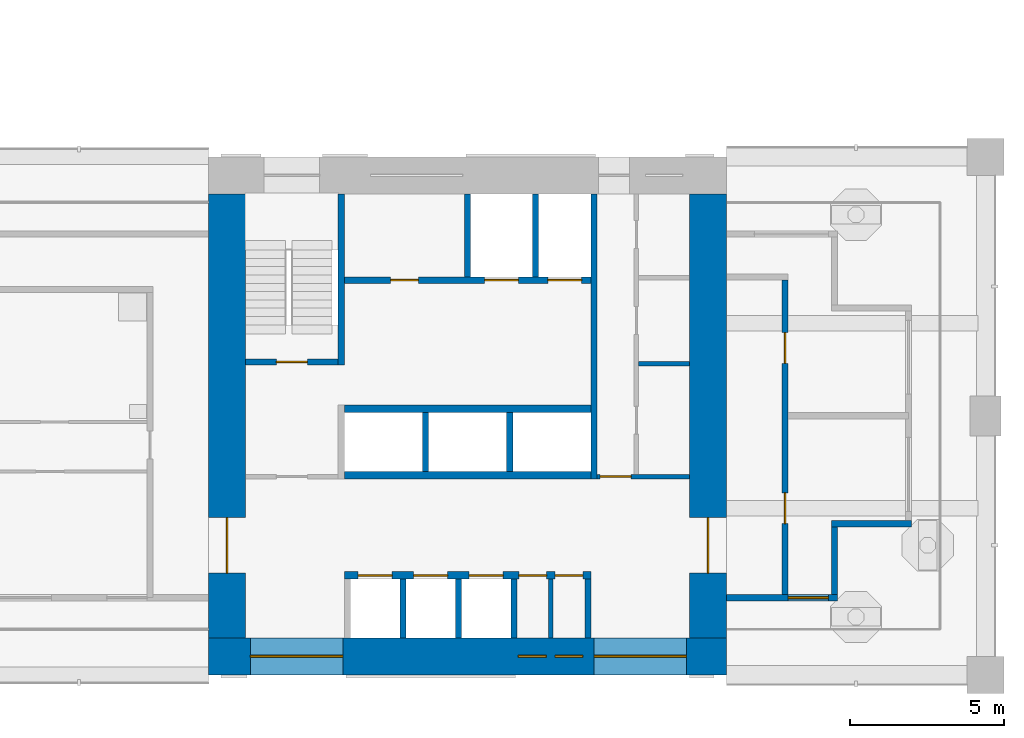
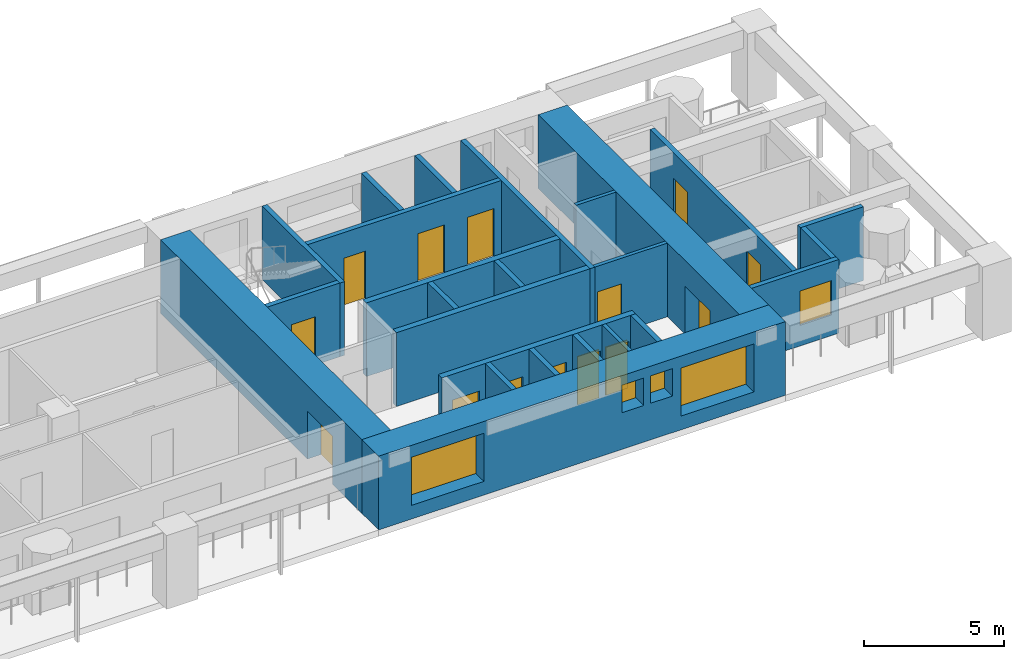
# One storey, part 5 of 18: 25 walls, 14 doors, 5 windows, 19 openings.
"""IFC4 building model written with IfcOpenShell, lengths in metres."""

from ifc_helpers import new_model, si_unit, direction, frame, frame_2d, origin, place, context, subcontext, project, spatial, rectangle, extrude, material, layer, layer_set, type_object, element, fill, save


model = new_model("IFC4")

# Units and contexts
model_context = context("Model", 3, precision=1e-05, world=origin(), true_north=direction((0.0, 1.0)))
body_context = subcontext(model_context, "Body", "Model", "MODEL_VIEW")
ifc_project = project(units=[si_unit("LENGTHUNIT", "METRE"), si_unit("AREAUNIT", "SQUARE_METRE"), si_unit("VOLUMEUNIT", "CUBIC_METRE"), si_unit("PLANEANGLEUNIT", "RADIAN"), si_unit("MASSUNIT", "GRAM", prefix="KILO")], contexts=[model_context])

# Site, building, storey
site_placement = place(None, origin())
site = spatial("IfcSite", under=ifc_project, at=site_placement, CompositionType="ELEMENT")
building_placement = place(site_placement, origin())
building = spatial("IfcBuilding", under=site, at=building_placement, Name="Vermilion Gate Residences", CompositionType="ELEMENT")
storey_placement = place(building_placement, frame((0.0, 0.0, 81.199951171875)))
storey = spatial("IfcBuildingStorey", under=building, at=storey_placement, Name="L19", CompositionType="ELEMENT", Elevation=81.199951171875)

# Wall
ifc_material_1 = material(Name="Masonry blockwork", Category="masonry")
ifc_layer_1 = layer(ifc_material_1, 0.14990234375)
ifc_layer_set_1 = layer_set([ifc_layer_1], Name="BLOCKWORK PARTITION 150 EI 120")
wall_type_1 = type_object("IfcWallType", Name="BLOCKWORK PARTITION 150 EI 120", PredefinedType="PARTITIONING", material=ifc_layer_set_1)
wall_1_placement = place(storey_placement, frame((53.10009765625, 9.60009765625, 0.0), z_axis=(0.0, 0.0, 1.0), x_axis=(0.0, 1.0, 0.0)))
element("IfcWall", 1, at=wall_1_placement, inside=storey, type_object=wall_type_1, Name="Core room partition A19-SR-P0", PredefinedType="PARTITIONING", context=body_context, shape_type="SweptSolid", body=[
    extrude(rectangle(XDim=1.89990234375, YDim=0.14990234375, at=frame_2d((0.949951171875, 0.0))), origin(), (0.0, 0.0, 1.0), 3.219970703125),
])

# Wall, opening, door
wall_2_placement = place(storey_placement, frame((54.60009765625, 14.824951171875, 0.0), z_axis=(0.0, 0.0, 1.0), x_axis=(1.0, 0.0, 0.0)))
wall_2 = element("IfcWall", 2, at=wall_2_placement, inside=storey, type_object=wall_type_1, Name="Core room partition A19-ES-S", PredefinedType="PARTITIONING", context=body_context, shape_type="SweptSolid", body=[
    extrude(rectangle(XDim=3.0, YDim=0.14990234375, at=frame_2d((1.5, 0.0))), origin(), (0.0, 0.0, 1.0), 3.219970703125),
])
opening_1_placement = place(wall_2_placement, frame((0.10009765625, 0.0, 0.0)))
opening_1 = element("IfcOpeningElement", 3, at=opening_1_placement, cuts=wall_2, Name="Opening DK19013", PredefinedType="OPENING", context=body_context, shape_type="SweptSolid", body=[
    extrude(rectangle(XDim=1.0, YDim=2.10009765625, at=frame_2d((0.5, 1.050048828125))), frame((0.0, 0.0849609375, 0.0), z_axis=(0.0, -1.0, 0.0), x_axis=(1.0, 0.0, 0.0)), (0.0, 0.0, 1.0), 0.169921875),
])
ifc_material_2 = material(Name="Steel", Category="steel")
door_type_1 = type_object("IfcDoorType", Name="FIRE DOOR FD60 1000 X 2100", OperationType="SINGLE_SWING_LEFT", PredefinedType="DOOR", material=ifc_material_2)
door_1_placement = place(opening_1_placement, frame((1.0, 0.0, 0.0), z_axis=(0.0, 0.0, 1.0), x_axis=(-1.0, 0.0, 0.0)))
door_1 = element("IfcDoor", 4, at=door_1_placement, inside=storey, type_object=door_type_1, Name="Service corridor door A19", OperationType="SINGLE_SWING_LEFT", OverallHeight=2.10009765625, OverallWidth=1.0, PredefinedType="DOOR", context=body_context, shape_type="SweptSolid", body=[
    extrude(rectangle(XDim=1.0, YDim=2.10009765625, at=frame_2d((0.5, 1.050048828125))), frame((0.0, 0.02490234375, 0.0), z_axis=(0.0, -1.0, 0.0), x_axis=(1.0, 0.0, 0.0)), (0.0, 0.0, 1.0), 0.050048828125),
])
fill(opening_1, door_1)

# Wall
wall_3_placement = place(storey_placement, frame((55.949951171875, 18.4951171875, 0.0), z_axis=(0.0, 0.0, 1.0), x_axis=(1.0, 0.0, 0.0)))
element("IfcWall", 5, at=wall_3_placement, inside=storey, type_object=wall_type_1, Name="Core room partition A19-ES-P0", PredefinedType="PARTITIONING", context=body_context, shape_type="SweptSolid", body=[
    extrude(rectangle(XDim=1.650146484375, YDim=0.14990234375, at=frame_2d((0.8251953125, 0.0))), origin(), (0.0, 0.0, 1.0), 3.219970703125),
])

# Wall, opening, window
ifc_material_3 = material(Name="Insulated steel stud wall with terracotta rainscreen", Category="masonry")
ifc_layer_2 = layer(ifc_material_3, 0.199951171875)
ifc_layer_set_2 = layer_set([ifc_layer_2], Name="EXTERNAL WALL 200 TERRACOTTA RAINSCREEN")
wall_type_2 = type_object("IfcWallType", Name="EXTERNAL WALL 200 TERRACOTTA RAINSCREEN", PredefinedType="SOLIDWALL", material=ifc_layer_set_2)
wall_4_placement = place(storey_placement, frame((58.800048828125, 10.89990234375, 0.0), z_axis=(0.0, 0.0, 1.0), x_axis=(1.0, 0.0, 0.0)))
wall_4 = element("IfcWall", 6, at=wall_4_placement, inside=storey, type_object=wall_type_2, Name="External wall", PredefinedType="SOLIDWALL", context=body_context, shape_type="SweptSolid", body=[
    extrude(rectangle(XDim=3.599853515625, YDim=0.199951171875, at=frame_2d((1.7998046875, 0.0))), origin(), (0.0, 0.0, 1.0), 3.219970703125),
])
opening_2_placement = place(wall_4_placement, frame((2.0, 0.0, 0.89990234375)))
opening_2 = element("IfcOpeningElement", 7, at=opening_2_placement, cuts=wall_4, Name="Opening WE19020", PredefinedType="OPENING", context=body_context, shape_type="SweptSolid", body=[
    extrude(rectangle(XDim=1.300048828125, YDim=1.5, at=frame_2d((0.64990234375, 0.75))), frame((0.0, 0.10986328125, 0.0), z_axis=(0.0, -1.0, 0.0), x_axis=(1.0, 0.0, 0.0)), (0.0, 0.0, 1.0), 0.219970703125),
])
ifc_material_4 = material(Name="Aluminium and clear glass", Category="aluminium")
window_type_1 = type_object("IfcWindowType", Name="WINDOW 1300 X 1500", PartitioningType="SINGLE_PANEL", PredefinedType="WINDOW", material=ifc_material_4)
window_1_placement = place(opening_2_placement, origin())
window_1 = element("IfcWindow", 8, at=window_1_placement, inside=storey, type_object=window_type_1, Name="Window", OverallHeight=1.5, OverallWidth=1.300048828125, PartitioningType="SINGLE_PANEL", PredefinedType="WINDOW", context=body_context, shape_type="SweptSolid", body=[
    extrude(rectangle(XDim=1.300048828125, YDim=1.5, at=frame_2d((0.64990234375, 0.75))), frame((0.0, 0.030029296875, 0.0), z_axis=(0.0, -1.0, 0.0), x_axis=(1.0, 0.0, 0.0)), (0.0, 0.0, 1.0), 0.06005859375),
])
fill(opening_2, window_1)

# Walls
wall_5_placement = place(storey_placement, frame((62.300048828125, 11.0, 0.0), z_axis=(0.0, 0.0, 1.0), x_axis=(0.0, 1.0, 0.0)))
element("IfcWall", 9, at=wall_5_placement, inside=storey, type_object=wall_type_2, Name="External wall", PredefinedType="SOLIDWALL", context=body_context, shape_type="SweptSolid", body=[
    extrude(rectangle(XDim=2.199951171875, YDim=0.199951171875, at=frame_2d((1.10009765625, 0.0))), origin(), (0.0, 0.0, 1.0), 3.219970703125),
])
wall_6_placement = place(storey_placement, frame((62.199951171875, 13.300048828125, 0.0), z_axis=(0.0, 0.0, 1.0), x_axis=(1.0, 0.0, 0.0)))
element("IfcWall", 10, at=wall_6_placement, inside=storey, type_object=wall_type_2, Name="External wall", PredefinedType="SOLIDWALL", context=body_context, shape_type="SweptSolid", body=[
    extrude(rectangle(XDim=2.60009765625, YDim=0.199951171875, at=frame_2d((1.300048828125, 0.0))), origin(), (0.0, 0.0, 1.0), 3.219970703125),
])

# Wall, openings, doors
ifc_material_5 = material(Name="Fire-rated plasterboard on steel studs", Category="steel")
ifc_layer_3 = layer(ifc_material_5, 0.199951171875)
ifc_layer_set_3 = layer_set([ifc_layer_3], Name="PARTY WALL 200 EI 120")
wall_type_3 = type_object("IfcWallType", Name="PARTY WALL 200 EI 120", PredefinedType="PARTITIONING", material=ifc_layer_set_3)
wall_7_placement = place(storey_placement, frame((60.699951171875, 10.89990234375, 0.0), z_axis=(0.0, 0.0, 1.0), x_axis=(0.0, 1.0, 0.0)))
wall_7 = element("IfcWall", 11, at=wall_7_placement, inside=storey, type_object=wall_type_3, Name="Party and corridor wall", PredefinedType="PARTITIONING", context=body_context, shape_type="SweptSolid", body=[
    extrude(rectangle(XDim=10.300048828125, YDim=0.199951171875, at=frame_2d((5.14990234375, 0.0))), origin(), (0.0, 0.0, 1.0), 3.219970703125),
])
opening_3_placement = place(wall_7_placement, frame((2.39990234375, 0.0, 0.0)))
opening_3 = element("IfcOpeningElement", 12, at=opening_3_placement, cuts=wall_7, Name="Opening DA19046", PredefinedType="OPENING", context=body_context, shape_type="SweptSolid", body=[
    extrude(rectangle(XDim=1.0, YDim=2.10009765625, at=frame_2d((0.5, 1.050048828125))), frame((0.0, 0.10986328125, 0.0), z_axis=(0.0, -1.0, 0.0), x_axis=(1.0, 0.0, 0.0)), (0.0, 0.0, 1.0), 0.219970703125),
])
opening_4_placement = place(wall_7_placement, frame((7.60009765625, 0.0, 0.0)))
opening_4 = element("IfcOpeningElement", 13, at=opening_4_placement, cuts=wall_7, Name="Opening DA19047", PredefinedType="OPENING", context=body_context, shape_type="SweptSolid", body=[
    extrude(rectangle(XDim=1.0, YDim=2.10009765625, at=frame_2d((0.5, 1.050048828125))), frame((0.0, 0.10986328125, 0.0), z_axis=(0.0, -1.0, 0.0), x_axis=(1.0, 0.0, 0.0)), (0.0, 0.0, 1.0), 0.219970703125),
])
ifc_material_6 = material(Name="Steel", Category="steel")
door_type_2 = type_object("IfcDoorType", Name="ENTRANCE DOOR 1000 X 2100 FD30", OperationType="SINGLE_SWING_LEFT", PredefinedType="DOOR", material=ifc_material_6)
door_2_placement = place(opening_3_placement, frame((1.0, 0.0, 0.0), z_axis=(0.0, 0.0, 1.0), x_axis=(-1.0, 0.0, 0.0)))
door_2 = element("IfcDoor", 14, at=door_2_placement, inside=storey, type_object=door_type_2, Name="Entrance door", OperationType="SINGLE_SWING_RIGHT", OverallHeight=2.10009765625, OverallWidth=1.0, PredefinedType="DOOR", context=body_context, shape_type="SweptSolid", body=[
    extrude(rectangle(XDim=1.0, YDim=2.10009765625, at=frame_2d((0.5, 1.050048828125))), frame((0.0, 0.02490234375, 0.0), z_axis=(0.0, -1.0, 0.0), x_axis=(1.0, 0.0, 0.0)), (0.0, 0.0, 1.0), 0.050048828125),
])
fill(opening_3, door_2)
door_3_placement = place(opening_4_placement, frame((1.0, 0.0, 0.0), z_axis=(0.0, 0.0, 1.0), x_axis=(-1.0, 0.0, 0.0)))
door_3 = element("IfcDoor", 15, at=door_3_placement, inside=storey, type_object=door_type_2, Name="Entrance door", OperationType="SINGLE_SWING_RIGHT", OverallHeight=2.10009765625, OverallWidth=1.0, PredefinedType="DOOR", context=body_context, shape_type="SweptSolid", body=[
    extrude(rectangle(XDim=1.0, YDim=2.10009765625, at=frame_2d((0.5, 1.050048828125))), frame((0.0, 0.02490234375, 0.0), z_axis=(0.0, -1.0, 0.0), x_axis=(1.0, 0.0, 0.0)), (0.0, 0.0, 1.0), 0.050048828125),
])
fill(opening_4, door_3)

# Walls
ifc_material_7 = material(Name="Concrete C60", Category="concrete")
ifc_layer_4 = layer(ifc_material_7, 0.199951171875)
ifc_layer_set_4 = layer_set([ifc_layer_4], Name="RC CORE INTERNAL WALL 200 C60")
wall_type_4 = type_object("IfcWallType", Name="RC CORE INTERNAL WALL 200 C60", PredefinedType="SHEAR", material=ifc_layer_set_4)
for number, where, z_axis, x_axis, name in (
    (16, (48.300048828125, 9.60009765625, 0.0), (0.0, 0.0, 1.0), (0.0, 1.0, 0.0), "Core internal wall A19-LR-D1"),
    (17, (50.10009765625, 9.60009765625, 0.0), (0.0, 0.0, 1.0), (0.0, 1.0, 0.0), "Core internal wall A19-LR-D2"),
    (18, (51.89990234375, 9.60009765625, 0.0), (0.0, 0.0, 1.0), (0.0, 1.0, 0.0), "Core internal wall A19-LR-D3"),
    (19, (54.300048828125, 9.60009765625, 0.0), (0.0, 0.0, 1.0), (0.0, 1.0, 0.0), "Core internal wall A19-LR-DE"),
    (20, (49.033447265625, 15.0, 0.0), (0.0, 0.0, 1.0), (0.0, 1.0, 0.0), "Core internal wall A19-HR-D1"),
    (21, (51.7666015625, 15.0, 0.0), (0.0, 0.0, 1.0), (0.0, 1.0, 0.0), "Core internal wall A19-HR-D2"),
):
    element("IfcWall", number, at=place(storey_placement, frame(where, z_axis=z_axis, x_axis=x_axis)), inside=storey, type_object=wall_type_4, Name=name, PredefinedType="SHEAR", context=body_context, shape_type="SweptSolid", body=[
        extrude(rectangle(XDim=1.89990234375, YDim=0.199951171875, at=frame_2d((0.949951171875, 0.0))), origin(), (0.0, 0.0, 1.0), 3.219970703125),
    ])
for number, where, z_axis, x_axis, name in (
    (22, (50.39990234375, 21.300048828125, 0.0), (0.0, 0.0, 1.0), (0.0, 1.0, 0.0), "Core internal wall A19-FF-D0"),
    (23, (52.60009765625, 21.300048828125, 0.0), (0.0, 0.0, 1.0), (0.0, 1.0, 0.0), "Core internal wall A19-FF-D1"),
):
    element("IfcWall", number, at=place(storey_placement, frame(where, z_axis=z_axis, x_axis=x_axis)), inside=storey, type_object=wall_type_4, Name=name, PredefinedType="SHEAR", context=body_context, shape_type="SweptSolid", body=[
        extrude(rectangle(XDim=2.699951171875, YDim=0.199951171875, at=frame_2d((1.35009765625, 0.0))), origin(), (0.0, 0.0, 1.0), 3.219970703125),
    ])

# Wall, openings, doors
wall_8_placement = place(storey_placement, frame((46.39990234375, 21.199951171875, 0.0), z_axis=(0.0, 0.0, 1.0), x_axis=(1.0, 0.0, 0.0)))
wall_8 = element("IfcWall", 24, at=wall_8_placement, inside=storey, type_object=wall_type_4, Name="Core internal wall A19-FF-F", PredefinedType="SHEAR", context=body_context, shape_type="SweptSolid", body=[
    extrude(rectangle(XDim=8.0, YDim=0.199951171875, at=frame_2d((4.0, 0.0))), origin(), (0.0, 0.0, 1.0), 3.219970703125),
])
opening_5_placement = place(wall_8_placement, frame((1.5, 0.0, 0.0)))
opening_5 = element("IfcOpeningElement", 25, at=opening_5_placement, cuts=wall_8, Name="Opening DK19008", PredefinedType="OPENING", context=body_context, shape_type="SweptSolid", body=[
    extrude(rectangle(XDim=0.89990234375, YDim=2.10009765625, at=frame_2d((0.449951171875, 1.050048828125))), frame((0.0, 0.10986328125, 0.0), z_axis=(0.0, -1.0, 0.0), x_axis=(1.0, 0.0, 0.0)), (0.0, 0.0, 1.0), 0.219970703125),
])
opening_6_placement = place(wall_8_placement, frame((4.550048828125, 0.0, 0.0)))
opening_6 = element("IfcOpeningElement", 26, at=opening_6_placement, cuts=wall_8, Name="Opening LD", PredefinedType="OPENING", context=body_context, shape_type="SweptSolid", body=[
    extrude(rectangle(XDim=1.10009765625, YDim=2.10009765625, at=frame_2d((0.550048828125, 1.050048828125))), frame((0.0, 0.10986328125, 0.0), z_axis=(0.0, -1.0, 0.0), x_axis=(1.0, 0.0, 0.0)), (0.0, 0.0, 1.0), 0.219970703125),
])
opening_7_placement = place(wall_8_placement, frame((6.60009765625, 0.0, 0.0)))
opening_7 = element("IfcOpeningElement", 27, at=opening_7_placement, cuts=wall_8, Name="Opening LD", PredefinedType="OPENING", context=body_context, shape_type="SweptSolid", body=[
    extrude(rectangle(XDim=1.10009765625, YDim=2.10009765625, at=frame_2d((0.550048828125, 1.050048828125))), frame((0.0, 0.10986328125, 0.0), z_axis=(0.0, -1.0, 0.0), x_axis=(1.0, 0.0, 0.0)), (0.0, 0.0, 1.0), 0.219970703125),
])
ifc_material_8 = material(Name="Stainless steel", Category="steel")
door_type_3 = type_object("IfcDoorType", Name="LIFT LANDING DOOR E60 1100 X 2100", OperationType="DOUBLE_DOOR_SLIDING", PredefinedType="DOOR", material=ifc_material_8)
door_4_placement = place(opening_6_placement, origin())
door_4 = element("IfcDoor", 28, at=door_4_placement, inside=storey, type_object=door_type_3, Name="Lift landing door LFA1", OperationType="DOUBLE_DOOR_SLIDING", OverallHeight=2.10009765625, OverallWidth=1.10009765625, PredefinedType="DOOR", context=body_context, shape_type="SweptSolid", body=[
    extrude(rectangle(XDim=1.10009765625, YDim=2.10009765625, at=frame_2d((0.550048828125, 1.050048828125))), frame((0.0, 0.02490234375, 0.0), z_axis=(0.0, -1.0, 0.0), x_axis=(1.0, 0.0, 0.0)), (0.0, 0.0, 1.0), 0.050048828125),
])
fill(opening_6, door_4)
door_5_placement = place(opening_7_placement, origin())
door_5 = element("IfcDoor", 29, at=door_5_placement, inside=storey, type_object=door_type_3, Name="Lift landing door LCA1", OperationType="DOUBLE_DOOR_SLIDING", OverallHeight=2.10009765625, OverallWidth=1.10009765625, PredefinedType="DOOR", context=body_context, shape_type="SweptSolid", body=[
    extrude(rectangle(XDim=1.10009765625, YDim=2.10009765625, at=frame_2d((0.550048828125, 1.050048828125))), frame((0.0, 0.02490234375, 0.0), z_axis=(0.0, -1.0, 0.0), x_axis=(1.0, 0.0, 0.0)), (0.0, 0.0, 1.0), 0.050048828125),
])
fill(opening_7, door_5)
ifc_material_9 = material(Name="Steel", Category="steel")
door_type_4 = type_object("IfcDoorType", Name="SERVICE ROOM DOOR FD60 900 X 2100", OperationType="SINGLE_SWING_LEFT", PredefinedType="DOOR", material=ifc_material_9)
door_6_placement = place(opening_5_placement, origin())
door_6 = element("IfcDoor", 30, at=door_6_placement, inside=storey, type_object=door_type_4, Name="Communications riser A19", OperationType="SINGLE_SWING_LEFT", OverallHeight=2.10009765625, OverallWidth=0.89990234375, PredefinedType="DOOR", context=body_context, shape_type="SweptSolid", body=[
    extrude(rectangle(XDim=0.89990234375, YDim=2.10009765625, at=frame_2d((0.449951171875, 1.050048828125))), frame((0.0, 0.02490234375, 0.0), z_axis=(0.0, -1.0, 0.0), x_axis=(1.0, 0.0, 0.0)), (0.0, 0.0, 1.0), 0.050048828125),
])
fill(opening_5, door_6)

# Wall
wall_9_placement = place(storey_placement, frame((46.300048828125, 18.449951171875, 0.0), z_axis=(0.0, 0.0, 1.0), x_axis=(0.0, 1.0, 0.0)))
element("IfcWall", 31, at=wall_9_placement, inside=storey, type_object=wall_type_4, Name="Core internal wall A19-WDIV2", PredefinedType="SHEAR", context=body_context, shape_type="SweptSolid", body=[
    extrude(rectangle(XDim=5.550048828125, YDim=0.199951171875, at=frame_2d((2.77490234375, 0.0))), origin(), (0.0, 0.0, 1.0), 3.219970703125),
])

# Wall, opening, door
wall_10_placement = place(storey_placement, frame((43.199951171875, 18.550048828125, 0.0), z_axis=(0.0, 0.0, 1.0), x_axis=(1.0, 0.0, 0.0)))
wall_10 = element("IfcWall", 32, at=wall_10_placement, inside=storey, type_object=wall_type_4, Name="Core internal wall A19-STW-S", PredefinedType="SHEAR", context=body_context, shape_type="SweptSolid", body=[
    extrude(rectangle(XDim=3.0, YDim=0.199951171875, at=frame_2d((1.5, 0.0))), origin(), (0.0, 0.0, 1.0), 3.219970703125),
])
opening_8_placement = place(wall_10_placement, frame((1.0, 0.0, 0.0)))
opening_8 = element("IfcOpeningElement", 33, at=opening_8_placement, cuts=wall_10, Name="Opening DK19012", PredefinedType="OPENING", context=body_context, shape_type="SweptSolid", body=[
    extrude(rectangle(XDim=1.0, YDim=2.10009765625, at=frame_2d((0.5, 1.050048828125))), frame((0.0, 0.10986328125, 0.0), z_axis=(0.0, -1.0, 0.0), x_axis=(1.0, 0.0, 0.0)), (0.0, 0.0, 1.0), 0.219970703125),
])
door_7_placement = place(opening_8_placement, origin())
door_7 = element("IfcDoor", 34, at=door_7_placement, inside=storey, type_object=door_type_1, Name="Stair door A19", OperationType="SINGLE_SWING_LEFT", OverallHeight=2.10009765625, OverallWidth=1.0, PredefinedType="DOOR", context=body_context, shape_type="SweptSolid", body=[
    extrude(rectangle(XDim=1.0, YDim=2.10009765625, at=frame_2d((0.5, 1.050048828125))), frame((0.0, 0.02490234375, 0.0), z_axis=(0.0, -1.0, 0.0), x_axis=(1.0, 0.0, 0.0)), (0.0, 0.0, 1.0), 0.050048828125),
])
fill(opening_8, door_7)

# Wall
wall_11_placement = place(storey_placement, frame((54.5, 14.75, 0.0), z_axis=(0.0, 0.0, 1.0), x_axis=(0.0, 1.0, 0.0)))
element("IfcWall", 35, at=wall_11_placement, inside=storey, type_object=wall_type_4, Name="Core internal wall A19-EDIV", PredefinedType="SHEAR", context=body_context, shape_type="SweptSolid", body=[
    extrude(rectangle(XDim=9.25, YDim=0.199951171875, at=frame_2d((4.625, 0.0))), origin(), (0.0, 0.0, 1.0), 3.219970703125),
])

# Wall, opening, door
ifc_material_10 = material(Name="Concrete C70", Category="concrete")
ifc_layer_5 = layer(ifc_material_10, 1.199951171875)
ifc_layer_set_5 = layer_set([ifc_layer_5], Name="RC CORE WALL 1200 C70")
wall_type_5 = type_object("IfcWallType", Name="RC CORE WALL 1200 C70", PredefinedType="SHEAR", material=ifc_layer_set_5)
wall_12_placement = place(storey_placement, frame((42.60009765625, 9.60009765625, 0.0), z_axis=(0.0, 0.0, 1.0), x_axis=(0.0, 1.0, 0.0)))
wall_12 = element("IfcWall", 36, at=wall_12_placement, inside=storey, type_object=wall_type_5, Name="Core wall A19-OUT-FR", PredefinedType="SHEAR", context=body_context, shape_type="SweptSolid", body=[
    extrude(rectangle(XDim=14.39990234375, YDim=1.199951171875, at=frame_2d((7.199951171875, 0.0))), origin(), (0.0, 0.0, 1.0), 3.219970703125),
])
opening_9_placement = place(wall_12_placement, frame((2.10009765625, 0.0, 0.0)))
opening_9 = element("IfcOpeningElement", 37, at=opening_9_placement, cuts=wall_12, Name="Opening DK19001", PredefinedType="OPENING", context=body_context, shape_type="SweptSolid", body=[
    extrude(rectangle(XDim=1.800048828125, YDim=2.10009765625, at=frame_2d((0.89990234375, 1.050048828125))), frame((0.0, 0.60986328125, 0.0), z_axis=(0.0, -1.0, 0.0), x_axis=(1.0, 0.0, 0.0)), (0.0, 0.0, 1.0), 1.219970703125),
])
ifc_material_11 = material(Name="Steel", Category="steel")
door_type_5 = type_object("IfcDoorType", Name="CORE LOBBY DOOR FD60 1800 X 2100", OperationType="DOUBLE_DOOR_SINGLE_SWING", PredefinedType="DOOR", material=ifc_material_11)
door_8_placement = place(opening_9_placement, frame((1.800048828125, 0.0, 0.0), z_axis=(0.0, 0.0, 1.0), x_axis=(-1.0, 0.0, 0.0)))
door_8 = element("IfcDoor", 38, at=door_8_placement, inside=storey, type_object=door_type_5, Name="Core lobby door A19", OperationType="DOUBLE_DOOR_SINGLE_SWING", OverallHeight=2.10009765625, OverallWidth=1.800048828125, PredefinedType="DOOR", context=body_context, shape_type="SweptSolid", body=[
    extrude(rectangle(XDim=1.800048828125, YDim=2.10009765625, at=frame_2d((0.89990234375, 1.050048828125))), frame((0.0, 0.02490234375, 0.0), z_axis=(0.0, -1.0, 0.0), x_axis=(1.0, 0.0, 0.0)), (0.0, 0.0, 1.0), 0.050048828125),
])
fill(opening_9, door_8)

wall_13_placement = place(storey_placement, frame((58.199951171875, 9.60009765625, 0.0), z_axis=(0.0, 0.0, 1.0), x_axis=(0.0, 1.0, 0.0)))
wall_13 = element("IfcWall", 39, at=wall_13_placement, inside=storey, type_object=wall_type_5, Name="Core wall A19-OUT-BK", PredefinedType="SHEAR", context=body_context, shape_type="SweptSolid", body=[
    extrude(rectangle(XDim=14.39990234375, YDim=1.199951171875, at=frame_2d((7.199951171875, 0.0))), origin(), (0.0, 0.0, 1.0), 3.219970703125),
])
opening_10_placement = place(wall_13_placement, frame((2.10009765625, 0.0, 0.0)))
opening_10 = element("IfcOpeningElement", 40, at=opening_10_placement, cuts=wall_13, Name="Opening DK19002", PredefinedType="OPENING", context=body_context, shape_type="SweptSolid", body=[
    extrude(rectangle(XDim=1.800048828125, YDim=2.10009765625, at=frame_2d((0.89990234375, 1.050048828125))), frame((0.0, 0.60986328125, 0.0), z_axis=(0.0, -1.0, 0.0), x_axis=(1.0, 0.0, 0.0)), (0.0, 0.0, 1.0), 1.219970703125),
])
door_9_placement = place(opening_10_placement, origin())
door_9 = element("IfcDoor", 41, at=door_9_placement, inside=storey, type_object=door_type_5, Name="Core lobby door A19", OperationType="DOUBLE_DOOR_SINGLE_SWING", OverallHeight=2.10009765625, OverallWidth=1.800048828125, PredefinedType="DOOR", context=body_context, shape_type="SweptSolid", body=[
    extrude(rectangle(XDim=1.800048828125, YDim=2.10009765625, at=frame_2d((0.89990234375, 1.050048828125))), frame((0.0, 0.02490234375, 0.0), z_axis=(0.0, -1.0, 0.0), x_axis=(1.0, 0.0, 0.0)), (0.0, 0.0, 1.0), 0.050048828125),
])
fill(opening_10, door_9)

# Wall, openings, windows
ifc_material_12 = material(Name="Concrete C70 red-oxide pigmented", Category="concrete")
ifc_layer_6 = layer(ifc_material_12, 1.199951171875)
ifc_layer_set_6 = layer_set([ifc_layer_6], Name="RC CORE WALL 1200 C70 RED OXIDE")
wall_type_6 = type_object("IfcWallType", Name="RC CORE WALL 1200 C70 RED OXIDE", PredefinedType="SHEAR", material=ifc_layer_set_6)
wall_14_placement = place(storey_placement, frame((42.0, 9.0, 0.0), z_axis=(0.0, 0.0, 1.0), x_axis=(1.0, 0.0, 0.0)))
wall_14 = element("IfcWall", 42, at=wall_14_placement, inside=storey, type_object=wall_type_6, Name="Core wall A19-OUT-B0", PredefinedType="SHEAR", context=body_context, shape_type="SweptSolid", body=[
    extrude(rectangle(XDim=16.800048828125, YDim=1.199951171875, at=frame_2d((8.39990234375, 0.0))), origin(), (0.0, 0.0, 1.0), 3.219970703125),
])
opening_11_placement = place(wall_14_placement, frame((1.35009765625, 0.0, 0.60009765625)))
opening_11 = element("IfcOpeningElement", 43, at=opening_11_placement, cuts=wall_14, Name="Opening WKA1901", PredefinedType="OPENING", context=body_context, shape_type="SweptSolid", body=[
    extrude(rectangle(XDim=3.0, YDim=2.10009765625, at=frame_2d((1.5, 1.050048828125))), frame((0.0, 0.60986328125, 0.0), z_axis=(0.0, -1.0, 0.0), x_axis=(1.0, 0.0, 0.0)), (0.0, 0.0, 1.0), 1.219970703125),
])
opening_12_placement = place(wall_14_placement, frame((10.050048828125, 0.0, 1.60009765625)))
opening_12 = element("IfcOpeningElement", 44, at=opening_12_placement, cuts=wall_14, Name="Opening WKA1902", PredefinedType="OPENING", context=body_context, shape_type="SweptSolid", body=[
    extrude(rectangle(XDim=0.89990234375, YDim=1.199951171875, at=frame_2d((0.449951171875, 0.60009765625))), frame((0.0, 0.60986328125, 0.0), z_axis=(0.0, -1.0, 0.0), x_axis=(1.0, 0.0, 0.0)), (0.0, 0.0, 1.0), 1.219970703125),
])
opening_13_placement = place(wall_14_placement, frame((11.237548828125, 0.0, 1.60009765625)))
opening_13 = element("IfcOpeningElement", 45, at=opening_13_placement, cuts=wall_14, Name="Opening WKA1903", PredefinedType="OPENING", context=body_context, shape_type="SweptSolid", body=[
    extrude(rectangle(XDim=0.89990234375, YDim=1.199951171875, at=frame_2d((0.449951171875, 0.60009765625))), frame((0.0, 0.60986328125, 0.0), z_axis=(0.0, -1.0, 0.0), x_axis=(1.0, 0.0, 0.0)), (0.0, 0.0, 1.0), 1.219970703125),
])
opening_14_placement = place(wall_14_placement, frame((12.5, 0.0, 0.60009765625)))
opening_14 = element("IfcOpeningElement", 46, at=opening_14_placement, cuts=wall_14, Name="Opening WKA1904", PredefinedType="OPENING", context=body_context, shape_type="SweptSolid", body=[
    extrude(rectangle(XDim=3.0, YDim=2.10009765625, at=frame_2d((1.5, 1.050048828125))), frame((0.0, 0.60986328125, 0.0), z_axis=(0.0, -1.0, 0.0), x_axis=(1.0, 0.0, 0.0)), (0.0, 0.0, 1.0), 1.219970703125),
])
ifc_material_13 = material(Name="Aluminium and clear glass", Category="aluminium")
window_type_2 = type_object("IfcWindowType", Name="CORE LOBBY WINDOW 3000 X 2100", PartitioningType="SINGLE_PANEL", PredefinedType="WINDOW", material=ifc_material_13)
window_2_placement = place(opening_11_placement, origin())
window_2 = element("IfcWindow", 47, at=window_2_placement, inside=storey, type_object=window_type_2, Name="Core lobby window", OverallHeight=2.10009765625, OverallWidth=3.0, PartitioningType="SINGLE_PANEL", PredefinedType="WINDOW", context=body_context, shape_type="SweptSolid", body=[
    extrude(rectangle(XDim=3.0, YDim=2.10009765625, at=frame_2d((1.5, 1.050048828125))), frame((0.0, 0.030029296875, 0.0), z_axis=(0.0, -1.0, 0.0), x_axis=(1.0, 0.0, 0.0)), (0.0, 0.0, 1.0), 0.06005859375),
])
fill(opening_11, window_2)
window_3_placement = place(opening_14_placement, origin())
window_3 = element("IfcWindow", 48, at=window_3_placement, inside=storey, type_object=window_type_2, Name="Core lobby window", OverallHeight=2.10009765625, OverallWidth=3.0, PartitioningType="SINGLE_PANEL", PredefinedType="WINDOW", context=body_context, shape_type="SweptSolid", body=[
    extrude(rectangle(XDim=3.0, YDim=2.10009765625, at=frame_2d((1.5, 1.050048828125))), frame((0.0, 0.030029296875, 0.0), z_axis=(0.0, -1.0, 0.0), x_axis=(1.0, 0.0, 0.0)), (0.0, 0.0, 1.0), 0.06005859375),
])
fill(opening_14, window_3)
ifc_material_14 = material(Name="Aluminium frame with louvre blades", Category="aluminium")
window_type_3 = type_object("IfcWindowType", Name="CORE LOUVRE 900 X 1200", PartitioningType="SINGLE_PANEL", PredefinedType="WINDOW", material=ifc_material_14)
window_4_placement = place(opening_12_placement, origin())
window_4 = element("IfcWindow", 49, at=window_4_placement, inside=storey, type_object=window_type_3, Name="Core louvre", OverallHeight=1.199951171875, OverallWidth=0.89990234375, PartitioningType="SINGLE_PANEL", PredefinedType="WINDOW", context=body_context, shape_type="SweptSolid", body=[
    extrude(rectangle(XDim=0.89990234375, YDim=1.199951171875, at=frame_2d((0.449951171875, 0.60009765625))), frame((0.0, 0.030029296875, 0.0), z_axis=(0.0, -1.0, 0.0), x_axis=(1.0, 0.0, 0.0)), (0.0, 0.0, 1.0), 0.06005859375),
])
fill(opening_12, window_4)
window_5_placement = place(opening_13_placement, origin())
window_5 = element("IfcWindow", 50, at=window_5_placement, inside=storey, type_object=window_type_3, Name="Core louvre", OverallHeight=1.199951171875, OverallWidth=0.89990234375, PartitioningType="SINGLE_PANEL", PredefinedType="WINDOW", context=body_context, shape_type="SweptSolid", body=[
    extrude(rectangle(XDim=0.89990234375, YDim=1.199951171875, at=frame_2d((0.449951171875, 0.60009765625))), frame((0.0, 0.030029296875, 0.0), z_axis=(0.0, -1.0, 0.0), x_axis=(1.0, 0.0, 0.0)), (0.0, 0.0, 1.0), 0.06005859375),
])
fill(opening_13, window_5)

# Wall, openings, doors
ifc_material_15 = material(Name="Concrete C60", Category="concrete")
ifc_layer_7 = layer(ifc_material_15, 0.25)
ifc_layer_set_7 = layer_set([ifc_layer_7], Name="RC LIFT SHAFT WALL 250 C60")
wall_type_7 = type_object("IfcWallType", Name="RC LIFT SHAFT WALL 250 C60", PredefinedType="SHEAR", material=ifc_layer_set_7)
wall_15_placement = place(storey_placement, frame((46.39990234375, 11.625, 0.0), z_axis=(0.0, 0.0, 1.0), x_axis=(1.0, 0.0, 0.0)))
wall_15 = element("IfcWall", 51, at=wall_15_placement, inside=storey, type_object=wall_type_7, Name="Lift shaft wall A19-LR-F", PredefinedType="SHEAR", context=body_context, shape_type="SweptSolid", body=[
    extrude(rectangle(XDim=8.0, YDim=0.25, at=frame_2d((4.0, 0.0))), origin(), (0.0, 0.0, 1.0), 3.219970703125),
])
opening_15_placement = place(wall_15_placement, frame((0.449951171875, 0.0, 0.0)))
opening_15 = element("IfcOpeningElement", 52, at=opening_15_placement, cuts=wall_15, Name="Opening LD", PredefinedType="OPENING", context=body_context, shape_type="SweptSolid", body=[
    extrude(rectangle(XDim=1.10009765625, YDim=2.10009765625, at=frame_2d((0.550048828125, 1.050048828125))), frame((0.0, 0.135009765625, 0.0), z_axis=(0.0, -1.0, 0.0), x_axis=(1.0, 0.0, 0.0)), (0.0, 0.0, 1.0), 0.27001953125),
])
opening_16_placement = place(wall_15_placement, frame((2.25, 0.0, 0.0)))
opening_16 = element("IfcOpeningElement", 53, at=opening_16_placement, cuts=wall_15, Name="Opening LD", PredefinedType="OPENING", context=body_context, shape_type="SweptSolid", body=[
    extrude(rectangle(XDim=1.10009765625, YDim=2.10009765625, at=frame_2d((0.550048828125, 1.050048828125))), frame((0.0, 0.135009765625, 0.0), z_axis=(0.0, -1.0, 0.0), x_axis=(1.0, 0.0, 0.0)), (0.0, 0.0, 1.0), 0.27001953125),
])
opening_17_placement = place(wall_15_placement, frame((4.050048828125, 0.0, 0.0)))
opening_17 = element("IfcOpeningElement", 54, at=opening_17_placement, cuts=wall_15, Name="Opening LD", PredefinedType="OPENING", context=body_context, shape_type="SweptSolid", body=[
    extrude(rectangle(XDim=1.10009765625, YDim=2.10009765625, at=frame_2d((0.550048828125, 1.050048828125))), frame((0.0, 0.135009765625, 0.0), z_axis=(0.0, -1.0, 0.0), x_axis=(1.0, 0.0, 0.0)), (0.0, 0.0, 1.0), 0.27001953125),
])
opening_18_placement = place(wall_15_placement, frame((5.66259765625, 0.0, 0.0)))
opening_18 = element("IfcOpeningElement", 55, at=opening_18_placement, cuts=wall_15, Name="Opening DK19006", PredefinedType="OPENING", context=body_context, shape_type="SweptSolid", body=[
    extrude(rectangle(XDim=0.89990234375, YDim=2.10009765625, at=frame_2d((0.449951171875, 1.050048828125))), frame((0.0, 0.135009765625, 0.0), z_axis=(0.0, -1.0, 0.0), x_axis=(1.0, 0.0, 0.0)), (0.0, 0.0, 1.0), 0.27001953125),
])
opening_19_placement = place(wall_15_placement, frame((6.83740234375, 0.0, 0.0)))
opening_19 = element("IfcOpeningElement", 56, at=opening_19_placement, cuts=wall_15, Name="Opening DK19007", PredefinedType="OPENING", context=body_context, shape_type="SweptSolid", body=[
    extrude(rectangle(XDim=0.89990234375, YDim=2.10009765625, at=frame_2d((0.449951171875, 1.050048828125))), frame((0.0, 0.135009765625, 0.0), z_axis=(0.0, -1.0, 0.0), x_axis=(1.0, 0.0, 0.0)), (0.0, 0.0, 1.0), 0.27001953125),
])
door_10_placement = place(opening_15_placement, origin())
door_10 = element("IfcDoor", 57, at=door_10_placement, inside=storey, type_object=door_type_3, Name="Lift landing door LRA1", OperationType="DOUBLE_DOOR_SLIDING", OverallHeight=2.10009765625, OverallWidth=1.10009765625, PredefinedType="DOOR", context=body_context, shape_type="SweptSolid", body=[
    extrude(rectangle(XDim=1.10009765625, YDim=2.10009765625, at=frame_2d((0.550048828125, 1.050048828125))), frame((0.0, 0.02490234375, 0.0), z_axis=(0.0, -1.0, 0.0), x_axis=(1.0, 0.0, 0.0)), (0.0, 0.0, 1.0), 0.050048828125),
])
fill(opening_15, door_10)
door_11_placement = place(opening_16_placement, origin())
door_11 = element("IfcDoor", 58, at=door_11_placement, inside=storey, type_object=door_type_3, Name="Lift landing door LRA2", OperationType="DOUBLE_DOOR_SLIDING", OverallHeight=2.10009765625, OverallWidth=1.10009765625, PredefinedType="DOOR", context=body_context, shape_type="SweptSolid", body=[
    extrude(rectangle(XDim=1.10009765625, YDim=2.10009765625, at=frame_2d((0.550048828125, 1.050048828125))), frame((0.0, 0.02490234375, 0.0), z_axis=(0.0, -1.0, 0.0), x_axis=(1.0, 0.0, 0.0)), (0.0, 0.0, 1.0), 0.050048828125),
])
fill(opening_16, door_11)
door_12_placement = place(opening_17_placement, origin())
door_12 = element("IfcDoor", 59, at=door_12_placement, inside=storey, type_object=door_type_3, Name="Lift landing door LRA3", OperationType="DOUBLE_DOOR_SLIDING", OverallHeight=2.10009765625, OverallWidth=1.10009765625, PredefinedType="DOOR", context=body_context, shape_type="SweptSolid", body=[
    extrude(rectangle(XDim=1.10009765625, YDim=2.10009765625, at=frame_2d((0.550048828125, 1.050048828125))), frame((0.0, 0.02490234375, 0.0), z_axis=(0.0, -1.0, 0.0), x_axis=(1.0, 0.0, 0.0)), (0.0, 0.0, 1.0), 0.050048828125),
])
fill(opening_17, door_12)
door_13_placement = place(opening_18_placement, frame((0.89990234375, 0.0, 0.0), z_axis=(0.0, 0.0, 1.0), x_axis=(-1.0, 0.0, 0.0)))
door_13 = element("IfcDoor", 60, at=door_13_placement, inside=storey, type_object=door_type_4, Name="Mail room A19", OperationType="SINGLE_SWING_RIGHT", OverallHeight=2.10009765625, OverallWidth=0.89990234375, PredefinedType="DOOR", context=body_context, shape_type="SweptSolid", body=[
    extrude(rectangle(XDim=0.89990234375, YDim=2.10009765625, at=frame_2d((0.449951171875, 1.050048828125))), frame((0.0, 0.02490234375, 0.0), z_axis=(0.0, -1.0, 0.0), x_axis=(1.0, 0.0, 0.0)), (0.0, 0.0, 1.0), 0.050048828125),
])
fill(opening_18, door_13)
door_14_placement = place(opening_19_placement, frame((0.89990234375, 0.0, 0.0), z_axis=(0.0, 0.0, 1.0), x_axis=(-1.0, 0.0, 0.0)))
door_14 = element("IfcDoor", 61, at=door_14_placement, inside=storey, type_object=door_type_4, Name="Cleaner's store A19", OperationType="SINGLE_SWING_RIGHT", OverallHeight=2.10009765625, OverallWidth=0.89990234375, PredefinedType="DOOR", context=body_context, shape_type="SweptSolid", body=[
    extrude(rectangle(XDim=0.89990234375, YDim=2.10009765625, at=frame_2d((0.449951171875, 1.050048828125))), frame((0.0, 0.02490234375, 0.0), z_axis=(0.0, -1.0, 0.0), x_axis=(1.0, 0.0, 0.0)), (0.0, 0.0, 1.0), 0.050048828125),
])
fill(opening_19, door_14)

# Walls
for number, where, z_axis, x_axis, name in (
    (62, (46.39990234375, 14.875, 0.0), (0.0, 0.0, 1.0), (1.0, 0.0, 0.0), "Lift shaft wall A19-HR-F"),
    (63, (46.39990234375, 17.02490234375, 0.0), (0.0, 0.0, 1.0), (1.0, 0.0, 0.0), "Lift shaft wall A19-HR-B"),
):
    element("IfcWall", number, at=place(storey_placement, frame(where, z_axis=z_axis, x_axis=x_axis)), inside=storey, type_object=wall_type_7, Name=name, PredefinedType="SHEAR", context=body_context, shape_type="SweptSolid", body=[
        extrude(rectangle(XDim=8.0, YDim=0.25, at=frame_2d((4.0, 0.0))), origin(), (0.0, 0.0, 1.0), 3.219970703125),
    ])

save(model, "model.ifc")
